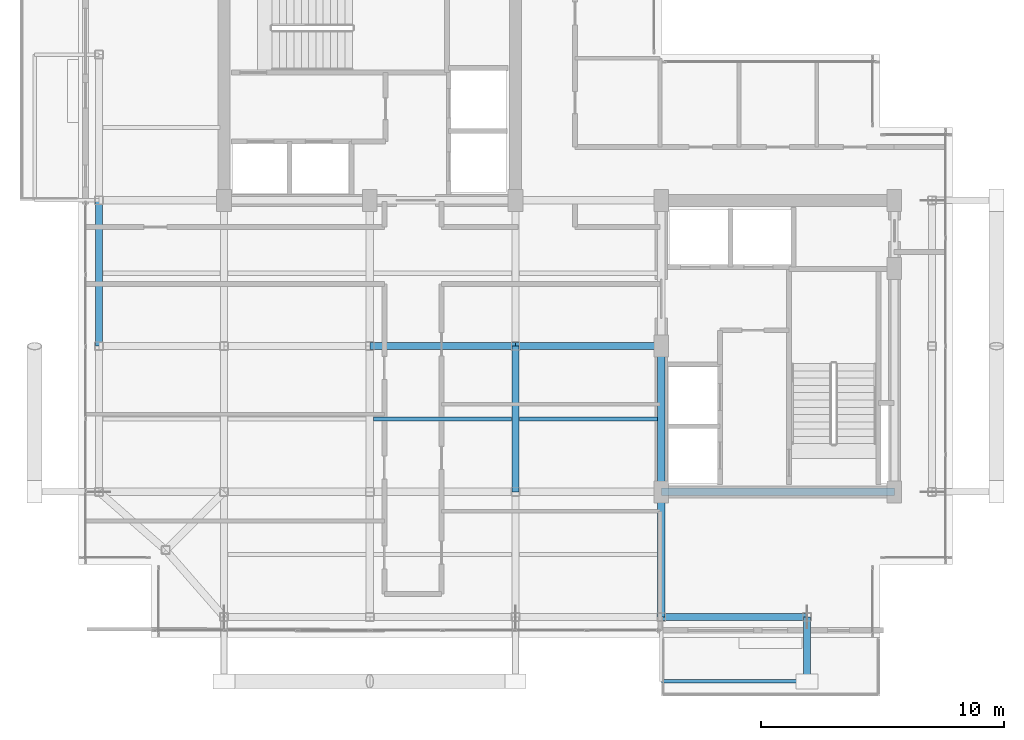
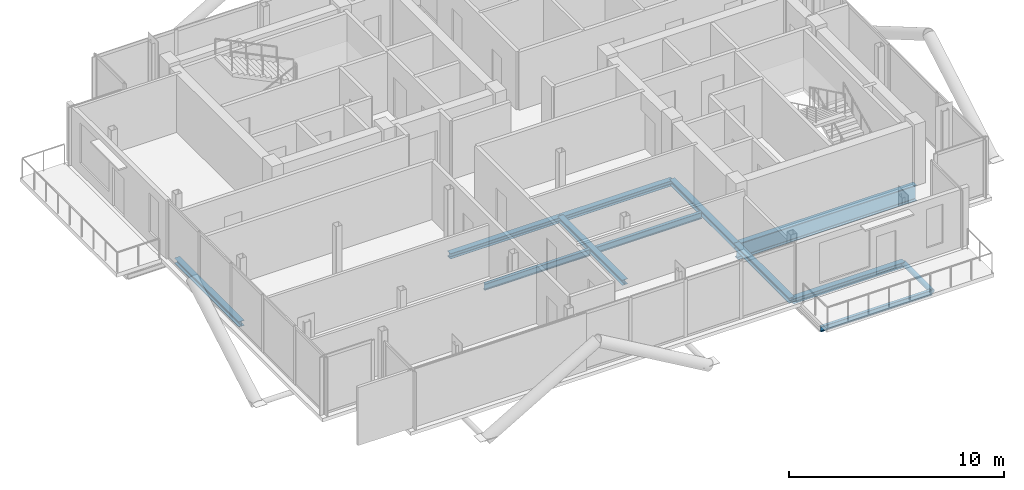
# One storey, part 6 of 19: 11 beams, 1 member.
"""IFC4 building model written with IfcOpenShell, lengths in metres."""

import ifcopenshell
import ifcopenshell.guid

model = None  # the IFC model being written
_history = None  # IfcOwnerHistory: only IFC2X3 demands one
_inside = {}  # id of a spatial element -> (the spatial element, [elements in it])
_under = {}  # id of a project, library or spatial element -> (it, [spatial elements below it])
_declared = {}  # id of a project -> (the project, [libraries it declares])
_typed = {}  # id of a type object -> (the type object, [elements of that type])
_made_of = {}  # id of a material, layer set ... -> (it, [elements and type objects made of it])


def new_model(schema):
    """Start an empty IFC model of exactly this schema.

    Asked for "IFC4X3", IfcOpenShell would pick the latest addendum, in which some entities
    have other attributes; the version numbers below select the first issue.
    IFC2X3 requires an IfcOwnerHistory on every rooted entity: one is made here for all.
    """
    global model, _history
    if schema == "IFC4X3":
        model = ifcopenshell.file(schema_version=(4, 3, 0, 0))
    else:
        model = ifcopenshell.file(schema=schema)
    _inside.clear()
    _under.clear()
    _declared.clear()
    _typed.clear()
    _made_of.clear()
    _history = None
    if model.schema == "IFC2X3":
        org = make("IfcOrganization", Name="unknown")
        user = make(
            "IfcPersonAndOrganization",
            ThePerson=make("IfcPerson", FamilyName="unknown"),
            TheOrganization=org,
        )
        app = make(
            "IfcApplication",
            ApplicationDeveloper=org,
            Version="unknown",
            ApplicationFullName="unknown",
            ApplicationIdentifier="unknown",
        )
        _history = make(
            "IfcOwnerHistory",
            OwningUser=user,
            OwningApplication=app,
            ChangeAction="ADDED",
            CreationDate=0,
        )
    return model


def make(cls, **values):
    """One entity of the class cls with the attributes given. An attribute that is None is left unset."""
    return model.create_entity(
        cls, **{name: value for name, value in values.items() if value is not None}
    )


def rooted(cls, **values):
    """An entity with a GlobalId (a new one), such as an element, a storey or a relation."""
    return make(cls, GlobalId=ifcopenshell.guid.new(), OwnerHistory=_history, **values)


def si_unit(unit_type, name, prefix=None):
    """IfcSIUnit, for example si_unit("LENGTHUNIT", "METRE", prefix="MILLI")."""
    return make("IfcSIUnit", UnitType=unit_type, Prefix=prefix, Name=name)


def assignment(units):
    """IfcUnitAssignment: the units of a project."""
    return None if units is None else make("IfcUnitAssignment", Units=units)


def point(xyz):
    """IfcCartesianPoint."""
    return None if xyz is None else make("IfcCartesianPoint", Coordinates=xyz)


def direction(xyz):
    """IfcDirection."""
    return None if xyz is None else make("IfcDirection", DirectionRatios=xyz)


def frame(location, z_axis=None, x_axis=None):
    """IfcAxis2Placement3D, a coordinate frame: its origin and axes. An axis left out is left unset."""
    return make(
        "IfcAxis2Placement3D",
        Location=point(location),
        Axis=direction(z_axis),
        RefDirection=direction(x_axis),
    )


def frame_2d(location, x_axis=None):
    """IfcAxis2Placement2D, a coordinate frame in the plane: its origin and x axis."""
    return make(
        "IfcAxis2Placement2D", Location=point(location), RefDirection=direction(x_axis)
    )


def origin():
    """The frame at (0, 0, 0) with its axes left unset."""
    return frame((0.0, 0.0, 0.0))


def origin_2d():
    """The frame at (0, 0) in the plane with its x axis left unset."""
    return frame_2d((0.0, 0.0))


def place(relative_to, where):
    """IfcLocalPlacement: puts the frame where relative to a parent placement (None: the world)."""
    return make(
        "IfcLocalPlacement", PlacementRelTo=relative_to, RelativePlacement=where
    )


def context(
    kind, dimensions, precision=None, world=None, true_north=None, identifier=None
):
    """IfcGeometricRepresentationContext, for example the 3D "Model" context."""
    return make(
        "IfcGeometricRepresentationContext",
        ContextIdentifier=identifier,
        ContextType=kind,
        CoordinateSpaceDimension=dimensions,
        Precision=precision,
        WorldCoordinateSystem=world,
        TrueNorth=true_north,
    )


def subcontext(parent, identifier, kind, view, scale=None):
    """IfcGeometricRepresentationSubContext, for example "Body" below "Model"."""
    return make(
        "IfcGeometricRepresentationSubContext",
        ContextIdentifier=identifier,
        ContextType=kind,
        ParentContext=parent,
        TargetScale=scale,
        TargetView=view,
    )


def project(units=None, contexts=None):
    """IfcProject with its units and contexts."""
    return rooted(
        "IfcProject",
        Name="project",
        RepresentationContexts=contexts,
        UnitsInContext=assignment(units),
    )


def spatial(cls, under=None, at=None, **own):
    """A site, building, storey or space (cls), placed at a placement, below another one or the project."""
    s = rooted(cls, ObjectPlacement=at, **own)
    if under is not None:
        _under.setdefault(under.id(), (under, []))[1].append(s)
    return s


def profile(cls, at=None, kind="AREA", **sizes):
    """A parametric profile (cls). Its sizes go by their IFC names, for example OverallWidth=200.0."""
    return make(cls, ProfileType=kind, Position=at, **sizes)


def hollow_circle(**sizes):
    """IfcCircleHollowProfileDef."""
    return profile("IfcCircleHollowProfileDef", **sizes)


def i_section(**sizes):
    """IfcIShapeProfileDef."""
    return profile("IfcIShapeProfileDef", **sizes)


def extrude(swept, where, along, depth):
    """IfcExtrudedAreaSolid: the profile swept, set in the frame where, extruded along a direction by depth."""
    return make(
        "IfcExtrudedAreaSolid",
        SweptArea=swept,
        Position=where,
        ExtrudedDirection=direction(along),
        Depth=depth,
    )


def shape(context_of_items, identifier, shape_type, items):
    """IfcShapeRepresentation: the items that make up one representation, for example the "Body"."""
    return make(
        "IfcShapeRepresentation",
        ContextOfItems=context_of_items,
        RepresentationIdentifier=identifier,
        RepresentationType=shape_type,
        Items=items,
    )


def material(Name=None, Category=None):
    """IfcMaterial."""
    return make("IfcMaterial", Name=Name, Category=Category)


def material_profile(
    of_material, cross_section, Name=None, Category=None, Priority=None
):
    """IfcMaterialProfile: a cross section and its material."""
    return make(
        "IfcMaterialProfile",
        Name=Name,
        Material=of_material,
        Profile=cross_section,
        Priority=Priority,
        Category=Category,
    )


def profile_set(profiles, Name=None, composite=None):
    """IfcMaterialProfileSet."""
    return make(
        "IfcMaterialProfileSet",
        Name=Name,
        MaterialProfiles=profiles,
        CompositeProfile=composite,
    )


def made_of(thing, what):
    """Note that an element or type object is made of a material, layer set ...; save() writes the relation."""
    if what is not None:
        _made_of.setdefault(what.id(), (what, []))[1].append(thing)
    return thing


def type_object(cls, material=None, **own):
    """A type object (cls), such as IfcWallType, which elements share."""
    return made_of(rooted(cls, **own), material)


def element(
    cls,
    number,
    at=None,
    inside=None,
    cuts=None,
    type_object=None,
    material=None,
    context=None,
    identifier="Body",
    shape_type=None,
    held_by="IfcProductDefinitionShape",
    body=None,
    shapes=None,
    **own,
):
    """One element of the class cls, such as IfcWall. Its Tag is "e" and its number.

    at: its placement. inside: the storey or other place that contains it. cuts: it is an
    opening in that element (IfcRelVoidsElement). A single representation is given by context,
    identifier, shape_type and body (its items); several are given by shapes. held_by: the class
    of the entity that holds the representations. save() writes the other relations.
    """
    e = rooted(cls, Tag="e%d" % number, ObjectPlacement=at, **own)
    if body is not None:
        shapes = [shape(context, identifier, shape_type, body)]
    if shapes is not None:
        e.Representation = make(held_by, Representations=shapes)
    if inside is not None:
        _inside.setdefault(inside.id(), (inside, []))[1].append(e)
    if cuts is not None:
        rooted(
            "IfcRelVoidsElement", RelatingBuildingElement=cuts, RelatedOpeningElement=e
        )
    if type_object is not None:
        _typed.setdefault(type_object.id(), (type_object, []))[1].append(e)
    return made_of(e, material)


def aggregate(whole, parts):
    """IfcRelAggregates: a whole, such as a stair, and the parts it consists of."""
    return rooted("IfcRelAggregates", RelatingObject=whole, RelatedObjects=parts)


def save(model, path):
    """Write the relations noted so far, then the file.

    IfcRelAggregates (storeys below a building ...), IfcRelContainedInSpatialStructure (elements
    in a storey), IfcRelDefinesByType, IfcRelAssociatesMaterial and IfcRelDeclares: one each for
    every whole, place, type object, material and project.
    """
    for whole, parts in _under.values():
        aggregate(whole, parts)
    for where, things in _inside.values():
        rooted(
            "IfcRelContainedInSpatialStructure",
            RelatedElements=things,
            RelatingStructure=where,
        )
    for kind, things in _typed.values():
        rooted("IfcRelDefinesByType", RelatedObjects=things, RelatingType=kind)
    for what, things in _made_of.values():
        rooted("IfcRelAssociatesMaterial", RelatedObjects=things, RelatingMaterial=what)
    for by, libraries in _declared.values():
        rooted("IfcRelDeclares", RelatingContext=by, RelatedDefinitions=libraries)
    model.write(path)


model = new_model("IFC4")

# Units and contexts
model_context = context("Model", 3, precision=1e-05, world=origin(), true_north=direction((0.0, 1.0)))
body_context = subcontext(model_context, "Body", "Model", "MODEL_VIEW")
ifc_project = project(units=[si_unit("LENGTHUNIT", "METRE"), si_unit("AREAUNIT", "SQUARE_METRE"), si_unit("VOLUMEUNIT", "CUBIC_METRE"), si_unit("PLANEANGLEUNIT", "RADIAN"), si_unit("MASSUNIT", "GRAM", prefix="KILO"), si_unit("THERMODYNAMICTEMPERATUREUNIT", "KELVIN"), si_unit("POWERUNIT", "WATT")], contexts=[model_context])

# Site, building, storey
site_placement = place(None, origin())
site = spatial("IfcSite", under=ifc_project, at=site_placement, CompositionType="ELEMENT")
building_placement = place(site_placement, origin())
building = spatial("IfcBuilding", under=site, at=building_placement, Name="Svarakhadi Broadcast Tower", CompositionType="ELEMENT")
storey_placement = place(building_placement, frame((0.0, 0.0, 271.199951171875)))
storey = spatial("IfcBuildingStorey", under=building, at=storey_placement, Name="L68", CompositionType="ELEMENT", Elevation=271.199951171875)

# Beams
ifc_material_1 = material(Name="Steel S355J2 (IS 2062 E350C)", Category="steel")
ifc_material_profile_1 = material_profile(ifc_material_1, i_section(OverallWidth=0.169921875, OverallDepth=0.360107421875, WebThickness=0.008056640625, FlangeThickness=0.0126953125, FilletRadius=0.01806640625, at=origin_2d()), Name="NPB 360x170x57")
ifc_profile_set_1 = profile_set([ifc_material_profile_1], Name="Steel S355J2 (IS 2062 E350C)")
beam_type_1 = type_object("IfcBeamType", Name="Beam_NPB360", PredefinedType="BEAM", material=ifc_profile_set_1)
for number, where, z_axis, x_axis, name in (
    (1, (12.159912109375, 9.0, -0.3798828125), (1.0, 0.0, 0.0), (0.0, 1.0, 0.0), "L68 Secondary Composite Beam SB008"),
    (2, (18.159912109375, 9.0, -0.3798828125), (1.0, 0.0, 0.0), (0.0, 1.0, 0.0), "L68 Secondary Composite Beam SB011"),
):
    element("IfcBeam", number, at=place(storey_placement, frame(where, z_axis=z_axis, x_axis=x_axis)), inside=storey, type_object=beam_type_1, Name=name, PredefinedType="BEAM", context=body_context, shape_type="SweptSolid", body=[
        extrude(i_section(OverallWidth=0.169921875, OverallDepth=0.360107421875, WebThickness=0.008056640625, FlangeThickness=0.0126953125, FilletRadius=0.01806640625, at=origin_2d()), origin(), (0.0, 0.0, 1.0), 5.68017578125),
    ])

# Member
ifc_material_2 = material(Name="Steel S460ML (IS 2062 E450BR)", Category="steel")
ifc_material_profile_2 = material_profile(ifc_material_2, hollow_circle(Radius=0.136474609375, WallThickness=0.012451171875, at=origin_2d()), Name="CHS 273x12.5")
ifc_profile_set_2 = profile_set([ifc_material_profile_2], Name="Steel S460ML (IS 2062 E450BR)")
member_type = type_object("IfcMemberType", Name="Exo_Radial_Strut_Z3", PredefinedType="STRUT", material=ifc_profile_set_2)
member_placement = place(storey_placement, frame((30.0, -1.800048828125, -0.33642578125), z_axis=(0.0, 1.0, 0.0), x_axis=(-1.0, 0.0, 0.0)))
element("IfcMember", 3, at=member_placement, inside=storey, type_object=member_type, Name="L68 Exoskeleton Radial Tie Strut S03", PredefinedType="STRUT", context=body_context, shape_type="SweptSolid", body=[
    extrude(hollow_circle(Radius=0.136474609375, WallThickness=0.012451171875, at=origin_2d()), origin(), (0.0, 0.0, 1.0), 2.650146484375),
])

# Beams
ifc_material_profile_3 = material_profile(ifc_material_1, i_section(OverallWidth=0.300048828125, OverallDepth=0.300048828125, WebThickness=0.010986328125, FlangeThickness=0.01904296875, FilletRadius=0.027099609375, at=origin_2d()), Name="WPB 300x300x117")
ifc_profile_set_3 = profile_set([ifc_material_profile_3], Name="Steel S355J2 (IS 2062 E350C)")
beam_type_2 = type_object("IfcBeamType", Name="Girder_WPB300", PredefinedType="USERDEFINED", material=ifc_profile_set_3)
for number, where, z_axis, x_axis, name in (
    (4, (24.0, 0.85009765625, -0.349853515625), (1.0, 0.0, 0.0), (0.0, 1.0, 0.0), "L68 Primary E-W Girder G007"),
    (5, (12.0, 12.0, -0.349853515625), (1.0, 0.0, 0.0), (0.0, 1.0, 0.0), "L68 Primary E-W Girder G015"),
    (6, (18.0, 12.0, -0.349853515625), (1.0, 0.0, 0.0), (0.0, 1.0, 0.0), "L68 Primary E-W Girder G016"),
    (7, (0.85009765625, 12.0, -0.349853515625), (0.0, 1.0, 0.0), (-1.0, 0.0, 0.0), "L68 Primary N-S Girder G027"),
    (8, (18.0, 6.0, -0.349853515625), (0.0, 1.0, 0.0), (-1.0, 0.0, 0.0), "L68 Primary N-S Girder G037"),
):
    element("IfcBeam", number, at=place(storey_placement, frame(where, z_axis=z_axis, x_axis=x_axis)), inside=storey, type_object=beam_type_2, Name=name, ObjectType="GIRDER", PredefinedType="USERDEFINED", context=body_context, shape_type="SweptSolid", body=[
        extrude(i_section(OverallWidth=0.300048828125, OverallDepth=0.300048828125, WebThickness=0.010986328125, FlangeThickness=0.01904296875, FilletRadius=0.027099609375, at=origin_2d()), origin(), (0.0, 0.0, 1.0), 6.0),
    ])
beam_1_placement = place(storey_placement, frame((24.0, 0.85009765625, -0.349853515625), z_axis=(0.0, 1.0, 0.0), x_axis=(-1.0, 0.0, 0.0)))
element("IfcBeam", 9, at=beam_1_placement, inside=storey, type_object=beam_type_2, Name="L68 Primary N-S Girder G040", ObjectType="GIRDER", PredefinedType="USERDEFINED", context=body_context, shape_type="SweptSolid", body=[
    extrude(i_section(OverallWidth=0.300048828125, OverallDepth=0.300048828125, WebThickness=0.010986328125, FlangeThickness=0.01904296875, FilletRadius=0.027099609375, at=origin_2d()), origin(), (0.0, 0.0, 1.0), 5.14990234375),
])
beam_2_placement = place(storey_placement, frame((24.0, 6.0, -0.349853515625), z_axis=(0.0, 1.0, 0.0), x_axis=(-1.0, 0.0, 0.0)))
element("IfcBeam", 10, at=beam_2_placement, inside=storey, type_object=beam_type_2, Name="L68 Primary N-S Girder G041", ObjectType="GIRDER", PredefinedType="USERDEFINED", context=body_context, shape_type="SweptSolid", body=[
    extrude(i_section(OverallWidth=0.300048828125, OverallDepth=0.300048828125, WebThickness=0.010986328125, FlangeThickness=0.01904296875, FilletRadius=0.027099609375, at=origin_2d()), origin(), (0.0, 0.0, 1.0), 6.0),
])
ifc_material_profile_4 = material_profile(ifc_material_2, i_section(OverallWidth=0.300048828125, OverallDepth=0.89990234375, WebThickness=0.0185546875, FlangeThickness=0.034912109375, FilletRadius=0.030029296875, at=origin_2d()), Name="WPB 900x300x291")
ifc_profile_set_4 = profile_set([ifc_material_profile_4], Name="Steel S460ML (IS 2062 E450BR)")
beam_type_3 = type_object("IfcBeamType", Name="Girder_WPB900", PredefinedType="USERDEFINED", material=ifc_profile_set_4)
beam_3_placement = place(storey_placement, frame((24.0, 6.0, -0.64990234375), z_axis=(1.0, 0.0, 0.0), x_axis=(0.0, 1.0, 0.0)))
element("IfcBeam", 11, at=beam_3_placement, inside=storey, type_object=beam_type_3, Name="L68 Primary E-W Girder G012", ObjectType="GIRDER", PredefinedType="USERDEFINED", context=body_context, shape_type="SweptSolid", body=[
    extrude(i_section(OverallWidth=0.300048828125, OverallDepth=0.89990234375, WebThickness=0.0185546875, FlangeThickness=0.034912109375, FilletRadius=0.030029296875, at=origin_2d()), origin(), (0.0, 0.0, 1.0), 9.60009765625),
])
ifc_material_profile_5 = material_profile(ifc_material_1, i_section(OverallWidth=0.14990234375, OverallDepth=0.300048828125, WebThickness=0.007080078125, FlangeThickness=0.0107421875, FilletRadius=0.014892578125, at=origin_2d()), Name="NPB 300x150x37")
ifc_profile_set_5 = profile_set([ifc_material_profile_5], Name="Steel S355J2 (IS 2062 E350C)")
beam_type_4 = type_object("IfcBeamType", Name="Spandrel_NPB300", PredefinedType="SPANDREL", material=ifc_profile_set_5)
beam_4_placement = place(storey_placement, frame((24.0, -1.800048828125, -0.375), z_axis=(1.0, 0.0, 0.0), x_axis=(0.0, 1.0, 0.0)))
element("IfcBeam", 12, at=beam_4_placement, inside=storey, type_object=beam_type_4, Name="L68 Balcony Outer Spandrel 1F", PredefinedType="SPANDREL", context=body_context, shape_type="SweptSolid", body=[
    extrude(i_section(OverallWidth=0.14990234375, OverallDepth=0.300048828125, WebThickness=0.007080078125, FlangeThickness=0.0107421875, FilletRadius=0.014892578125, at=origin_2d()), origin(), (0.0, 0.0, 1.0), 6.0),
])

save(model, "model.ifc")
